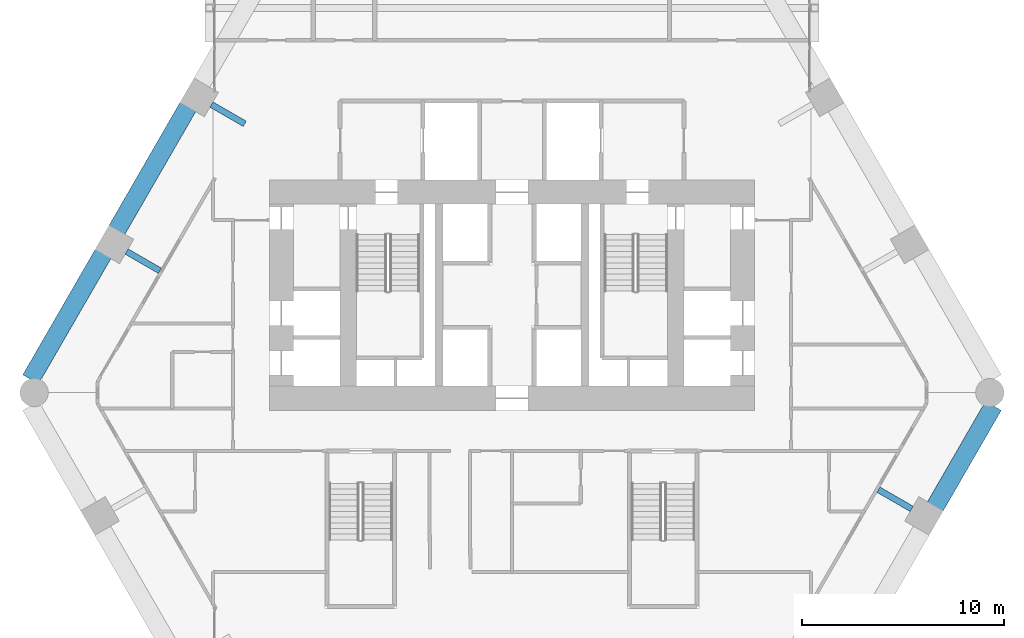
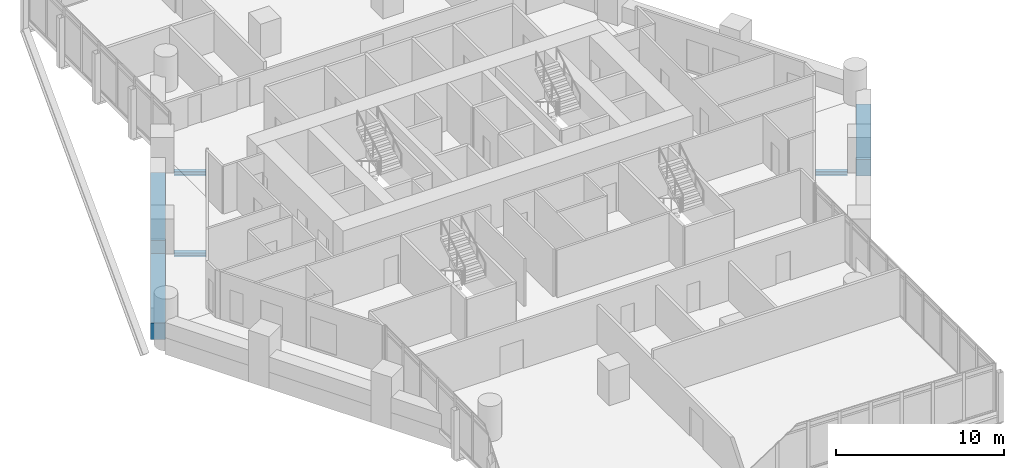
# One storey, part 15 of 38: 6 beams.
"""IFC4 building model written with IfcOpenShell, lengths in metres."""

from ifc_helpers import new_model, si_unit, direction, frame, origin, origin_2d, place, context, subcontext, project, spatial, rectangle, i_section, extrude, material, material_profile, profile_set, type_object, element, save


model = new_model("IFC4")

# Units and contexts
model_context = context("Model", 3, precision=1e-05, world=origin(), true_north=direction((0.0, 1.0)))
body_context = subcontext(model_context, "Body", "Model", "MODEL_VIEW")
ifc_project = project(units=[si_unit("LENGTHUNIT", "METRE"), si_unit("AREAUNIT", "SQUARE_METRE"), si_unit("VOLUMEUNIT", "CUBIC_METRE"), si_unit("PLANEANGLEUNIT", "RADIAN"), si_unit("MASSUNIT", "GRAM", prefix="KILO")], contexts=[model_context])

# Site, building, storey
site_placement = place(None, origin())
site = spatial("IfcSite", under=ifc_project, at=site_placement, CompositionType="ELEMENT")
building_placement = place(site_placement, origin())
building = spatial("IfcBuilding", under=site, at=building_placement, Name="Ostrander Bayou Hotel Tower", CompositionType="ELEMENT")
storey_placement = place(building_placement, frame((0.0, 0.0, 65.5)))
storey = spatial("IfcBuildingStorey", under=building, at=storey_placement, Name="L16", CompositionType="ELEMENT", Elevation=65.5)

# Beams
ifc_material_1 = material(Name="Steel ASTM A992", Category="steel")
ifc_material_profile_1 = material_profile(ifc_material_1, i_section(OverallWidth=0.3046875, OverallDepth=0.307861328125, WebThickness=0.010009765625, FlangeThickness=0.015380859375, at=origin_2d()))
ifc_profile_set_1 = profile_set([ifc_material_profile_1], Name="Steel ASTM A992")
beam_type_1 = type_object("IfcBeamType", Name="LB1 loggia bracket W12x65", PredefinedType="BEAM", material=ifc_profile_set_1)
for number, where, z_axis, x_axis, name in (
    (1, (-14.860595703125, 13.42431640625, -0.453857421875), (0.865988727248, -0.500063520245, 0.0), (0.500063520245, 0.865988727248, 0.0), "LB1 L16 NW1"),
    (2, (-19.055908203125, 6.157470703125, -0.453857421875), (0.866044365799, -0.499967155389, 0.0), (0.499967155389, 0.866044365799, 0.0), "LB1 L16 NW2"),
    (3, (19.7646484375, -6.566650390625, -0.453857421875), (-0.866044365799, 0.499967155389, 0.0), (-0.499967155389, -0.866044365799, 0.0), "LB1 L16 SE2"),
):
    element("IfcBeam", number, at=place(storey_placement, frame(where, z_axis=z_axis, x_axis=x_axis)), inside=storey, type_object=beam_type_1, Name=name, PredefinedType="BEAM", context=body_context, shape_type="SweptSolid", body=[
        extrude(i_section(OverallWidth=0.3046875, OverallDepth=0.307861328125, WebThickness=0.010009765625, FlangeThickness=0.015380859375, at=origin_2d()), origin(), (0.0, 0.0, 1.0), 1.900146484375),
    ])
ifc_material_2 = material(Name="Concrete f'c 70 MPa", Category="concrete")
ifc_material_profile_2 = material_profile(ifc_material_2, rectangle(XDim=0.89990234375, YDim=1.199951171875, at=origin_2d()))
ifc_profile_set_2 = profile_set([ifc_material_profile_2], Name="Concrete f'c 70 MPa")
beam_type_2 = type_object("IfcBeamType", Name="SP1 spandrel beam 900 x 1200 mm f'c 70 MPa", PredefinedType="SPANDREL", material=ifc_profile_set_2)
beam_1_placement = place(storey_placement, frame((-16.018310546875, 13.319091796875, -0.60009765625), z_axis=(-0.499997206141, -0.866027016814, 0.0), x_axis=(0.866027016814, -0.499997206141, 0.0)))
element("IfcBeam", 4, at=beam_1_placement, inside=storey, type_object=beam_type_2, Name="SP1 L16 NW-2", PredefinedType="SPANDREL", context=body_context, shape_type="SweptSolid", body=[
    extrude(rectangle(XDim=0.89990234375, YDim=1.199951171875, at=origin_2d()), origin(), (0.0, 0.0, 1.0), 7.05078125),
])
beam_2_placement = place(storey_placement, frame((-20.213623046875, 6.05224609375, -0.60009765625), z_axis=(-0.500014005679, -0.866017317451, 0.0), x_axis=(0.866017317451, -0.500014005679, 0.0)))
element("IfcBeam", 5, at=beam_2_placement, inside=storey, type_object=beam_type_2, Name="SP1 L16 NW-3", PredefinedType="SPANDREL", context=body_context, shape_type="SweptSolid", body=[
    extrude(rectangle(XDim=0.89990234375, YDim=1.199951171875, at=origin_2d()), origin(), (0.0, 0.0, 1.0), 7.176025390625),
])
beam_3_placement = place(storey_placement, frame((20.92236328125, -6.46142578125, -0.60009765625), z_axis=(0.499996461177, 0.866027446915, 0.0), x_axis=(-0.866027446915, 0.499996461177, 0.0)))
element("IfcBeam", 6, at=beam_3_placement, inside=storey, type_object=beam_type_2, Name="SP1 L16 SE-3", PredefinedType="SPANDREL", context=body_context, shape_type="SweptSolid", body=[
    extrude(rectangle(XDim=0.89990234375, YDim=1.199951171875, at=origin_2d()), origin(), (0.0, 0.0, 1.0), 5.7587890625),
])

save(model, "model.ifc")
